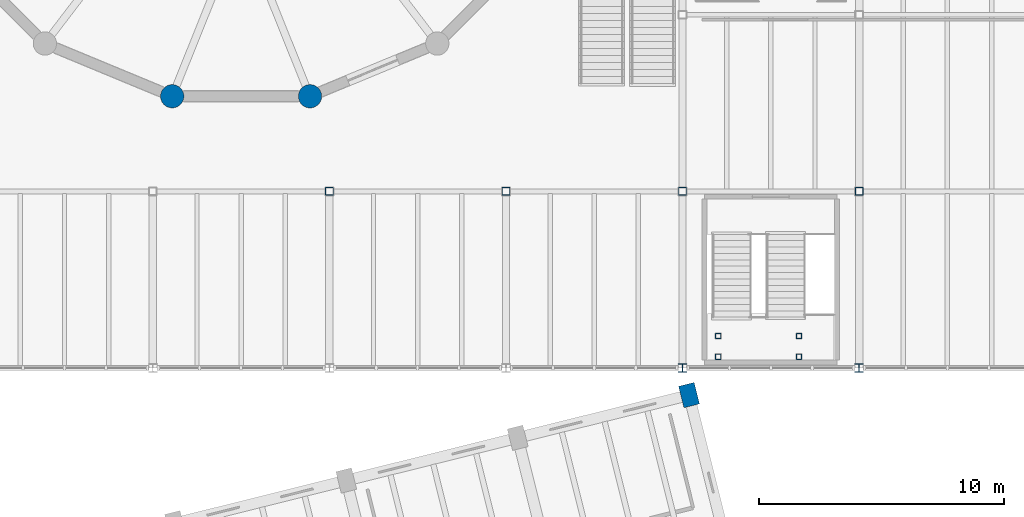
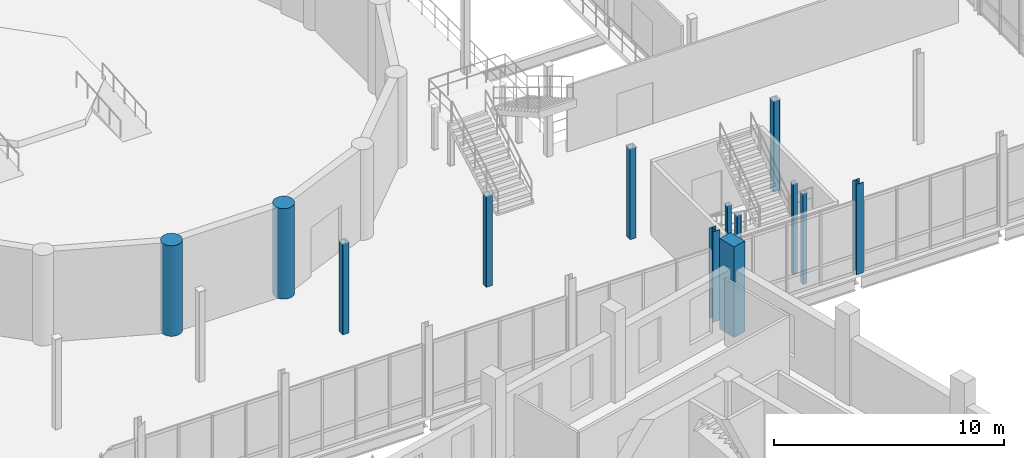
# One storey, part 7 of 77: 13 columns.
"""IFC4 building model written with IfcOpenShell, lengths in metres."""

from ifc_helpers import new_model, si_unit, direction, frame, origin, origin_2d, place, context, subcontext, project, spatial, rectangle, hollow_rectangle, circle, i_section, extrude, material, material_profile, profile_set, type_object, element, save


model = new_model("IFC4")

# Units and contexts
model_context = context("Model", 3, precision=1e-05, world=origin(), true_north=direction((0.0, 1.0)))
body_context = subcontext(model_context, "Body", "Model", "MODEL_VIEW")
ifc_project = project(units=[si_unit("LENGTHUNIT", "METRE"), si_unit("AREAUNIT", "SQUARE_METRE"), si_unit("VOLUMEUNIT", "CUBIC_METRE"), si_unit("PLANEANGLEUNIT", "RADIAN"), si_unit("MASSUNIT", "GRAM", prefix="KILO")], contexts=[model_context])

# Site, building, storey
site_placement = place(None, origin())
site = spatial("IfcSite", under=ifc_project, at=site_placement, CompositionType="ELEMENT")
building_placement = place(site_placement, origin())
building = spatial("IfcBuilding", under=site, at=building_placement, Name="Qiaolan Assembly House", CompositionType="ELEMENT")
storey_placement = place(building_placement, frame((0.0, 0.0, 5.39990234375)))
storey = spatial("IfcBuildingStorey", under=building, at=storey_placement, Name="L01", CompositionType="ELEMENT", Elevation=5.39990234375)

# Columns
ifc_material_1 = material(Name="Concrete C50/60", Category="concrete")
ifc_material_profile_1 = material_profile(ifc_material_1, circle(Radius=0.47509765625, at=origin_2d()), Name="CIRC D950")
ifc_profile_set_1 = profile_set([ifc_material_profile_1], Name="Concrete C50/60")
column_type_1 = type_object("IfcColumnType", Name="COL-DRUM-D950", PredefinedType="COLUMN", material=ifc_profile_set_1)
for number, where, z_axis, x_axis, name in (
    (1, (65.5908203125, 47.07666015625, 0.0), (0.0, 0.0, 1.0), (1.0, 0.0, 0.0), "DC-01 chamber drum pier 12 L01"),
    (2, (71.209228515625, 47.07666015625, 0.0), (0.0, 0.0, 1.0), (1.0, 0.0, 0.0), "DC-01 chamber drum pier 13 L01"),
):
    element("IfcColumn", number, at=place(storey_placement, frame(where, z_axis=z_axis, x_axis=x_axis)), inside=storey, type_object=column_type_1, Name=name, PredefinedType="COLUMN", context=body_context, shape_type="SweptSolid", body=[
        extrude(circle(Radius=0.47509765625, at=origin_2d()), origin(), (0.0, 0.0, 1.0), 4.800048828125),
    ])
ifc_material_profile_2 = material_profile(ifc_material_1, rectangle(XDim=0.64990234375, YDim=0.89990234375, at=origin_2d()), Name="RC 900x650")
ifc_profile_set_2 = profile_set([ifc_material_profile_2], Name="Concrete C50/60")
column_type_2 = type_object("IfcColumnType", Name="COL-RC-900x650", PredefinedType="COLUMN", material=ifc_profile_set_2)
column_placement = place(storey_placement, frame((86.66357421875, 34.89306640625, 0.0), z_axis=(0.0, 0.0, 1.0), x_axis=(0.970295726276, 0.2419218956, 0.0)))
element("IfcColumn", 3, at=column_placement, inside=storey, type_object=column_type_2, Name="RC-12 splayed column SE L01", PredefinedType="COLUMN", context=body_context, shape_type="SweptSolid", body=[
    extrude(rectangle(XDim=0.64990234375, YDim=0.89990234375, at=origin_2d()), origin(), (0.0, 0.0, 1.0), 4.800048828125),
])
ifc_material_2 = material(Name="Steel Q355B", Category="steel")
ifc_material_profile_3 = material_profile(ifc_material_2, i_section(OverallWidth=0.35009765625, OverallDepth=0.35009765625, WebThickness=0.011962890625, FlangeThickness=0.01904296875, FilletRadius=0.02001953125, at=origin_2d()), Name="HW 350x350x12x19")
ifc_profile_set_3 = profile_set([ifc_material_profile_3], Name="Steel Q355B")
column_type_3 = type_object("IfcColumnType", Name="COL-STL-HW350", PredefinedType="COLUMN", material=ifc_profile_set_3)
for number, where, z_axis, x_axis, name in (
    (4, (86.39990234375, 36.0, 0.0), (0.0, 0.0, 1.0), (1.0, 0.0, 0.0), "SC-02 hall column L01"),
    (5, (93.60009765625, 36.0, 0.0), (0.0, 0.0, 1.0), (1.0, 0.0, 0.0), "SC-02 hall column L01"),
):
    element("IfcColumn", number, at=place(storey_placement, frame(where, z_axis=z_axis, x_axis=x_axis)), inside=storey, type_object=column_type_3, Name=name, PredefinedType="COLUMN", context=body_context, shape_type="SweptSolid", body=[
        extrude(i_section(OverallWidth=0.35009765625, OverallDepth=0.35009765625, WebThickness=0.011962890625, FlangeThickness=0.01904296875, FilletRadius=0.02001953125, at=origin_2d()), origin(), (0.0, 0.0, 1.0), 4.800048828125),
    ])
ifc_material_profile_4 = material_profile(ifc_material_2, hollow_rectangle(XDim=0.219970703125, YDim=0.219970703125, WallThickness=0.010009765625, InnerFilletRadius=0.010009765625, OuterFilletRadius=0.02001953125, at=origin_2d()), Name="SHS 220x220x10")
ifc_profile_set_4 = profile_set([ifc_material_profile_4], Name="Steel Q355B")
column_type_4 = type_object("IfcColumnType", Name="COL-STL-SHS220", PredefinedType="COLUMN", material=ifc_profile_set_4)
for number, where, z_axis, x_axis, name in (
    (6, (87.85009765625, 36.449951171875, 0.0), (0.0, 0.0, 1.0), (1.0, 0.0, 0.0), "SC-08 foyer stair L01 column F2-1"),
    (7, (91.14990234375, 36.449951171875, 0.0), (0.0, 0.0, 1.0), (1.0, 0.0, 0.0), "SC-08 foyer stair L01 column F2-2"),
    (8, (87.85009765625, 37.300048828125, 0.0), (0.0, 0.0, 1.0), (1.0, 0.0, 0.0), "SC-08 foyer stair L01 column F2-3"),
    (9, (91.14990234375, 37.300048828125, 0.0), (0.0, 0.0, 1.0), (1.0, 0.0, 0.0), "SC-08 foyer stair L01 column F2-4"),
):
    element("IfcColumn", number, at=place(storey_placement, frame(where, z_axis=z_axis, x_axis=x_axis)), inside=storey, type_object=column_type_4, Name=name, PredefinedType="COLUMN", context=body_context, shape_type="SweptSolid", body=[
        extrude(hollow_rectangle(XDim=0.219970703125, YDim=0.219970703125, WallThickness=0.010009765625, InnerFilletRadius=0.010009765625, OuterFilletRadius=0.02001953125, at=origin_2d()), origin(), (0.0, 0.0, 1.0), 4.800048828125),
    ])
ifc_material_profile_5 = material_profile(ifc_material_2, hollow_rectangle(XDim=0.320068359375, YDim=0.320068359375, WallThickness=0.011962890625, InnerFilletRadius=0.011962890625, OuterFilletRadius=0.02392578125, at=origin_2d()), Name="SHS 320x320x12")
ifc_profile_set_5 = profile_set([ifc_material_profile_5], Name="Steel Q355B")
column_type_5 = type_object("IfcColumnType", Name="COL-STL-SHS320", PredefinedType="COLUMN", material=ifc_profile_set_5)
for number, where, z_axis, x_axis, name in (
    (10, (72.0, 43.199951171875, 0.0), (0.0, 0.0, 1.0), (1.0, 0.0, 0.0), "SC-09 hall column L01"),
    (11, (79.199951171875, 43.199951171875, 0.0), (0.0, 0.0, 1.0), (1.0, 0.0, 0.0), "SC-09 hall column L01"),
    (12, (86.39990234375, 43.199951171875, 0.0), (0.0, 0.0, 1.0), (1.0, 0.0, 0.0), "SC-09 hall column L01"),
    (13, (93.60009765625, 43.199951171875, 0.0), (0.0, 0.0, 1.0), (1.0, 0.0, 0.0), "SC-09 hall column L01"),
):
    element("IfcColumn", number, at=place(storey_placement, frame(where, z_axis=z_axis, x_axis=x_axis)), inside=storey, type_object=column_type_5, Name=name, PredefinedType="COLUMN", context=body_context, shape_type="SweptSolid", body=[
        extrude(hollow_rectangle(XDim=0.320068359375, YDim=0.320068359375, WallThickness=0.011962890625, InnerFilletRadius=0.011962890625, OuterFilletRadius=0.02392578125, at=origin_2d()), origin(), (0.0, 0.0, 1.0), 4.800048828125),
    ])

save(model, "model.ifc")
